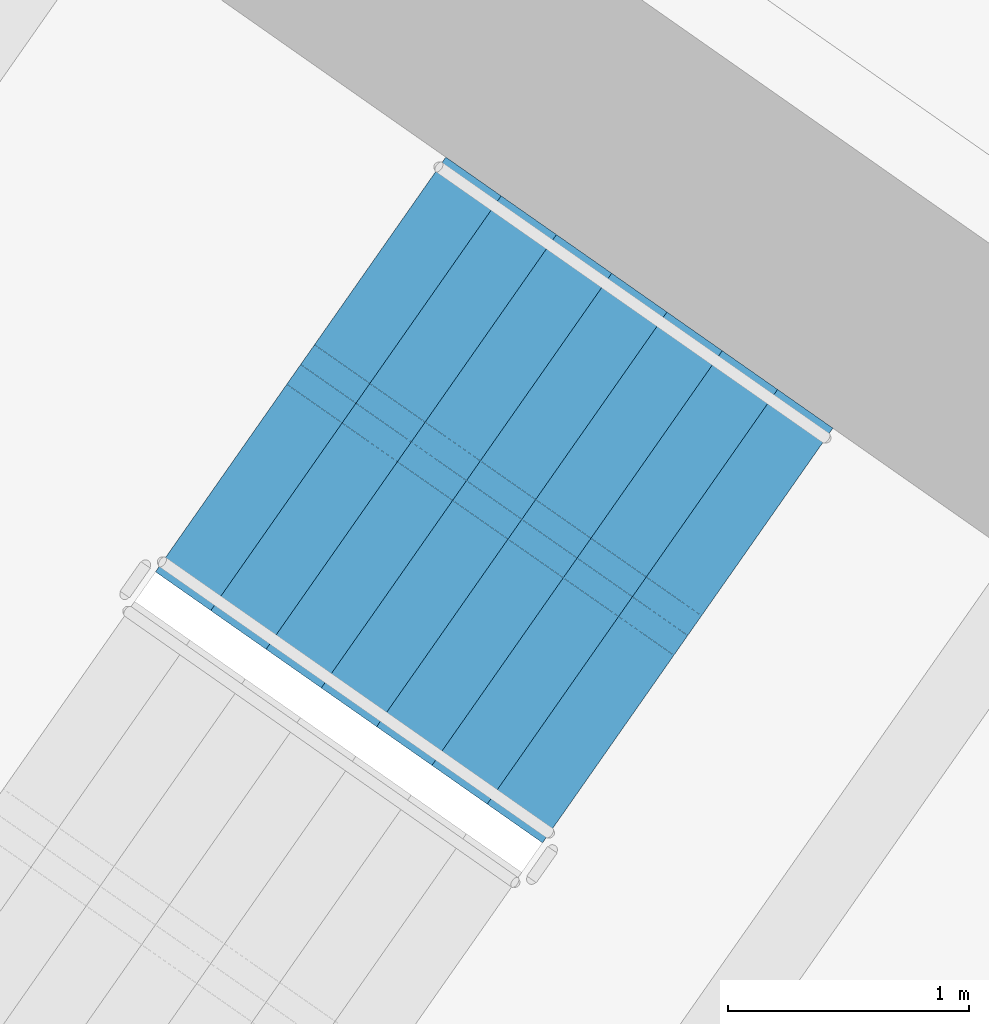
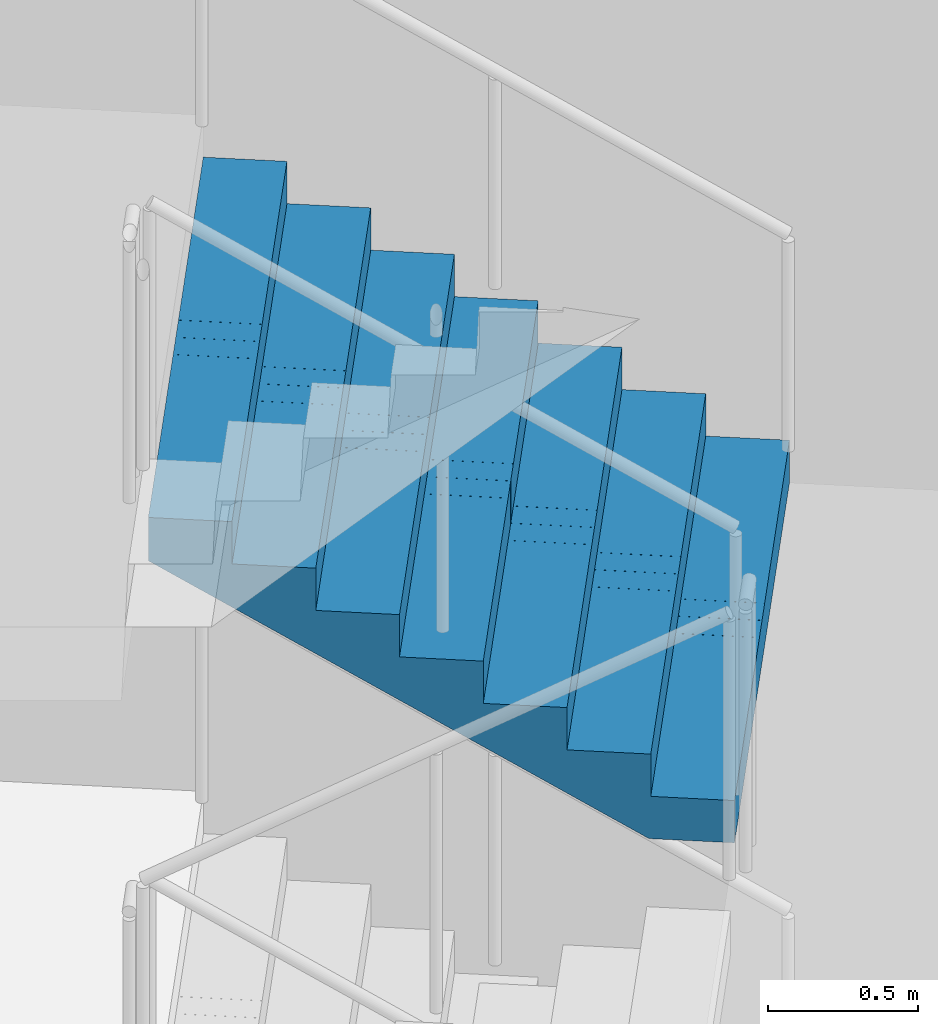
# One storey, part 17 of 26: 1 stair flight, 1 element without a shape of its own.
"""IFC4 building model written with IfcOpenShell, lengths in metres."""

from ifc_helpers import new_model, si_unit, direction, frame, origin, place, context, subcontext, project, spatial, polyline, outline, extrude, material, type_object, element, aggregate, save


model = new_model("IFC4")

# Units and contexts
model_context = context("Model", 3, precision=1e-05, world=origin(), true_north=direction((0.0, 1.0)))
body_context = subcontext(model_context, "Body", "Model", "MODEL_VIEW")
ifc_project = project(units=[si_unit("LENGTHUNIT", "METRE"), si_unit("AREAUNIT", "SQUARE_METRE"), si_unit("VOLUMEUNIT", "CUBIC_METRE"), si_unit("PLANEANGLEUNIT", "RADIAN"), si_unit("MASSUNIT", "GRAM", prefix="KILO")], contexts=[model_context])

# Site, building, storey
site_placement = place(None, origin())
site = spatial("IfcSite", under=ifc_project, at=site_placement, CompositionType="ELEMENT")
building_placement = place(site_placement, origin())
building = spatial("IfcBuilding", under=site, at=building_placement, Name="Tel Ilan Convention Tower", CompositionType="ELEMENT")
storey_placement = place(building_placement, frame((0.0, 0.0, 32.0)))
storey = spatial("IfcBuildingStorey", under=building, at=storey_placement, Name="L04", CompositionType="ELEMENT", Elevation=32.0)

# Stair, stair flight
ifc_material_1 = material(Name="Concrete C40/50", Category="concrete")
stair_type = type_object("IfcStairType", Name="Pressurised Exit Stair 32 risers 172 mm", PredefinedType="HALF_TURN_STAIR", material=ifc_material_1)
stair_placement = place(storey_placement, origin())
stair = element("IfcStair", 1, at=stair_placement, inside=storey, type_object=stair_type, Name="L04 Pressurised Stair S3", PredefinedType="HALF_TURN_STAIR")
ifc_material_2 = material(Name="Precast Concrete C40/50", Category="concrete")
stair_flight_type = type_object("IfcStairFlightType", Name="Concrete Stair Flight 2100 mm 32 risers 172 mm", PredefinedType="STRAIGHT", material=ifc_material_2)
stair_flight_placement = place(storey_placement, frame((24.25244140625, -7.032470703125, 2.75), z_axis=(0.0, 0.0, 1.0), x_axis=(-0.819152044289, 0.573576436351, 0.0)))
stair_flight = element("IfcStairFlight", 2, at=stair_flight_placement, type_object=stair_flight_type, Name="S3 flight 3", NumberOfRisers=8, NumberOfTreads=7, PredefinedType="STRAIGHT", RiserHeight=0.171875, TreadLength=0.28, context=body_context, shape_type="SweptSolid", body=[
    extrude(outline(polyline([(0.0, 0.0), (0.0, 0.171875), (0.280029296875, 0.171875), (0.280029296875, 0.34375), (0.56005859375, 0.34375), (0.56005859375, 0.515625), (0.840087890625, 0.515625), (0.840087890625, 0.6875), (1.1201171875, 0.6875), (1.1201171875, 0.859375), (1.39990234375, 0.859375), (1.39990234375, 1.03125), (1.679931640625, 1.03125), (1.679931640625, 1.203125), (1.9599609375, 1.203125), (1.9599609375, 1.375), (1.9599609375, 1.02734375), (0.28662109375, 0.0), (0.0, 0.0)])), frame((0.0, -0.100341796875, 0.0), z_axis=(0.0, -1.0, 0.0), x_axis=(1.0, 0.0, 0.0)), (0.0, 0.0, 1.0), 0.94970703125),
    extrude(outline(polyline([(0.0, 0.0), (0.0, 0.171875), (0.280029296875, 0.171875), (0.280029296875, 0.34375), (0.56005859375, 0.34375), (0.56005859375, 0.515625), (0.840087890625, 0.515625), (0.840087890625, 0.6875), (1.1201171875, 0.6875), (1.1201171875, 0.859375), (1.39990234375, 0.859375), (1.39990234375, 1.03125), (1.679931640625, 1.03125), (1.679931640625, 1.203125), (1.9599609375, 1.203125), (1.9599609375, 1.375), (1.9599609375, 1.02734375), (0.28662109375, 0.0), (0.0, 0.0)])), frame((0.0, -0.000244140625, 0.0), z_axis=(0.0, -1.0, 0.0), x_axis=(1.0, 0.0, 0.0)), (0.0, 0.0, 1.0), 0.099609375),
    extrude(outline(polyline([(0.0, 0.0), (0.0, 0.171875), (0.280029296875, 0.171875), (0.280029296875, 0.34375), (0.56005859375, 0.34375), (0.56005859375, 0.515625), (0.840087890625, 0.515625), (0.840087890625, 0.6875), (1.1201171875, 0.6875), (1.1201171875, 0.859375), (1.39990234375, 0.859375), (1.39990234375, 1.03125), (1.679931640625, 1.03125), (1.679931640625, 1.203125), (1.9599609375, 1.203125), (1.9599609375, 1.375), (1.9599609375, 1.02734375), (0.28662109375, 0.0), (0.0, 0.0)])), frame((0.0, 0.099853515625, 0.0), z_axis=(0.0, -1.0, 0.0), x_axis=(1.0, 0.0, 0.0)), (0.0, 0.0, 1.0), 0.099609375),
    extrude(outline(polyline([(0.0, 0.0), (0.0, 0.171875), (0.280029296875, 0.171875), (0.280029296875, 0.34375), (0.56005859375, 0.34375), (0.56005859375, 0.515625), (0.840087890625, 0.515625), (0.840087890625, 0.6875), (1.1201171875, 0.6875), (1.1201171875, 0.859375), (1.39990234375, 0.859375), (1.39990234375, 1.03125), (1.679931640625, 1.03125), (1.679931640625, 1.203125), (1.9599609375, 1.203125), (1.9599609375, 1.375), (1.9599609375, 1.02734375), (0.28662109375, 0.0), (0.0, 0.0)])), frame((0.0, 1.050048828125, 0.0), z_axis=(0.0, -1.0, 0.0), x_axis=(1.0, 0.0, 0.0)), (0.0, 0.0, 1.0), 0.94970703125),
])
aggregate(stair, [stair_flight])

save(model, "model.ifc")
